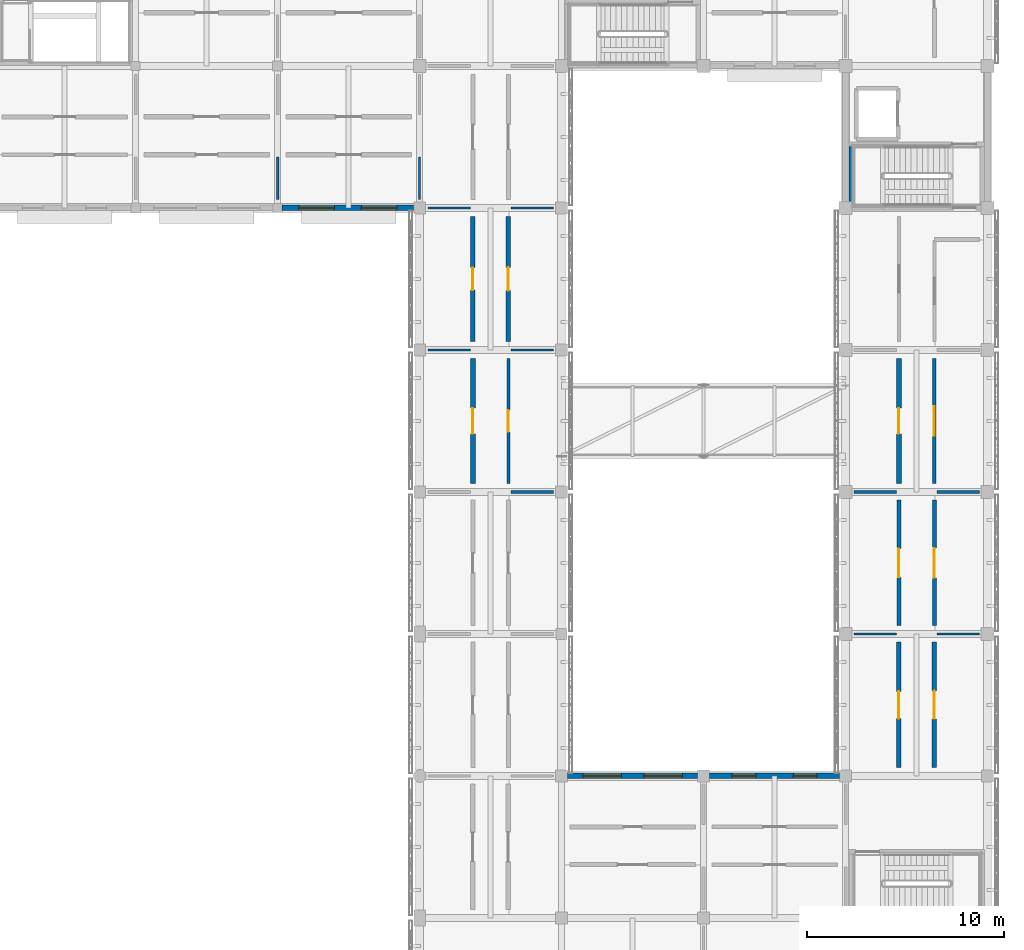
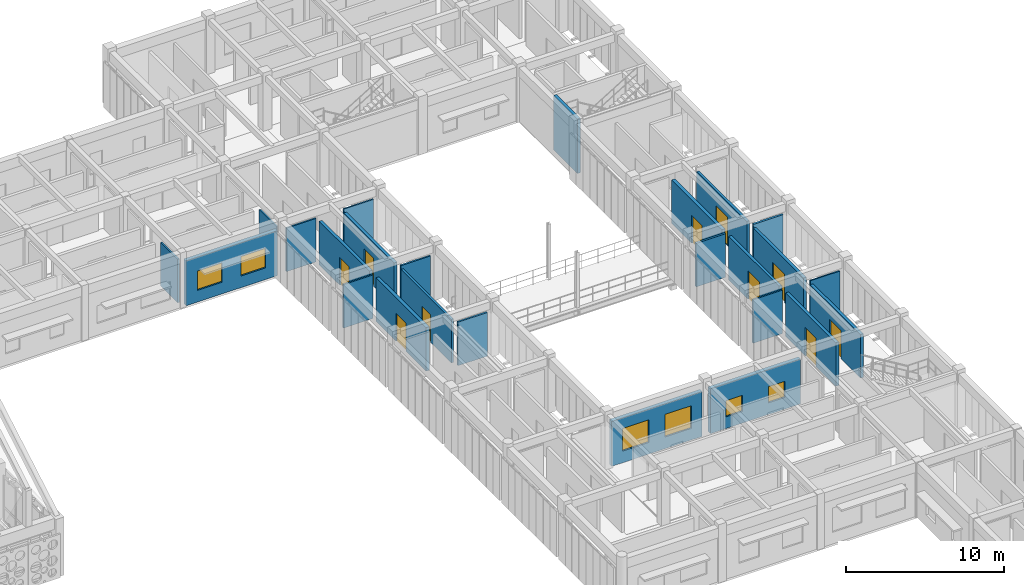
# One storey, part 138 of 171: 25 walls, 10 doors, 6 windows, 16 openings.
"""IFC4 building model written with IfcOpenShell, lengths in metres."""

import ifcopenshell
import ifcopenshell.guid

model = None  # the IFC model being written
_history = None  # IfcOwnerHistory: only IFC2X3 demands one
_inside = {}  # id of a spatial element -> (the spatial element, [elements in it])
_under = {}  # id of a project, library or spatial element -> (it, [spatial elements below it])
_declared = {}  # id of a project -> (the project, [libraries it declares])
_typed = {}  # id of a type object -> (the type object, [elements of that type])
_made_of = {}  # id of a material, layer set ... -> (it, [elements and type objects made of it])


def new_model(schema):
    """Start an empty IFC model of exactly this schema.

    Asked for "IFC4X3", IfcOpenShell would pick the latest addendum, in which some entities
    have other attributes; the version numbers below select the first issue.
    IFC2X3 requires an IfcOwnerHistory on every rooted entity: one is made here for all.
    """
    global model, _history
    if schema == "IFC4X3":
        model = ifcopenshell.file(schema_version=(4, 3, 0, 0))
    else:
        model = ifcopenshell.file(schema=schema)
    _inside.clear()
    _under.clear()
    _declared.clear()
    _typed.clear()
    _made_of.clear()
    _history = None
    if model.schema == "IFC2X3":
        org = make("IfcOrganization", Name="unknown")
        user = make(
            "IfcPersonAndOrganization",
            ThePerson=make("IfcPerson", FamilyName="unknown"),
            TheOrganization=org,
        )
        app = make(
            "IfcApplication",
            ApplicationDeveloper=org,
            Version="unknown",
            ApplicationFullName="unknown",
            ApplicationIdentifier="unknown",
        )
        _history = make(
            "IfcOwnerHistory",
            OwningUser=user,
            OwningApplication=app,
            ChangeAction="ADDED",
            CreationDate=0,
        )
    return model


def make(cls, **values):
    """One entity of the class cls with the attributes given. An attribute that is None is left unset."""
    return model.create_entity(
        cls, **{name: value for name, value in values.items() if value is not None}
    )


def rooted(cls, **values):
    """An entity with a GlobalId (a new one), such as an element, a storey or a relation."""
    return make(cls, GlobalId=ifcopenshell.guid.new(), OwnerHistory=_history, **values)


def si_unit(unit_type, name, prefix=None):
    """IfcSIUnit, for example si_unit("LENGTHUNIT", "METRE", prefix="MILLI")."""
    return make("IfcSIUnit", UnitType=unit_type, Prefix=prefix, Name=name)


def assignment(units):
    """IfcUnitAssignment: the units of a project."""
    return None if units is None else make("IfcUnitAssignment", Units=units)


def point(xyz):
    """IfcCartesianPoint."""
    return None if xyz is None else make("IfcCartesianPoint", Coordinates=xyz)


def direction(xyz):
    """IfcDirection."""
    return None if xyz is None else make("IfcDirection", DirectionRatios=xyz)


def frame(location, z_axis=None, x_axis=None):
    """IfcAxis2Placement3D, a coordinate frame: its origin and axes. An axis left out is left unset."""
    return make(
        "IfcAxis2Placement3D",
        Location=point(location),
        Axis=direction(z_axis),
        RefDirection=direction(x_axis),
    )


def frame_2d(location, x_axis=None):
    """IfcAxis2Placement2D, a coordinate frame in the plane: its origin and x axis."""
    return make(
        "IfcAxis2Placement2D", Location=point(location), RefDirection=direction(x_axis)
    )


def origin():
    """The frame at (0, 0, 0) with its axes left unset."""
    return frame((0.0, 0.0, 0.0))


def place(relative_to, where):
    """IfcLocalPlacement: puts the frame where relative to a parent placement (None: the world)."""
    return make(
        "IfcLocalPlacement", PlacementRelTo=relative_to, RelativePlacement=where
    )


def context(
    kind, dimensions, precision=None, world=None, true_north=None, identifier=None
):
    """IfcGeometricRepresentationContext, for example the 3D "Model" context."""
    return make(
        "IfcGeometricRepresentationContext",
        ContextIdentifier=identifier,
        ContextType=kind,
        CoordinateSpaceDimension=dimensions,
        Precision=precision,
        WorldCoordinateSystem=world,
        TrueNorth=true_north,
    )


def subcontext(parent, identifier, kind, view, scale=None):
    """IfcGeometricRepresentationSubContext, for example "Body" below "Model"."""
    return make(
        "IfcGeometricRepresentationSubContext",
        ContextIdentifier=identifier,
        ContextType=kind,
        ParentContext=parent,
        TargetScale=scale,
        TargetView=view,
    )


def project(units=None, contexts=None):
    """IfcProject with its units and contexts."""
    return rooted(
        "IfcProject",
        Name="project",
        RepresentationContexts=contexts,
        UnitsInContext=assignment(units),
    )


def spatial(cls, under=None, at=None, **own):
    """A site, building, storey or space (cls), placed at a placement, below another one or the project."""
    s = rooted(cls, ObjectPlacement=at, **own)
    if under is not None:
        _under.setdefault(under.id(), (under, []))[1].append(s)
    return s


def profile(cls, at=None, kind="AREA", **sizes):
    """A parametric profile (cls). Its sizes go by their IFC names, for example OverallWidth=200.0."""
    return make(cls, ProfileType=kind, Position=at, **sizes)


def rectangle(**sizes):
    """IfcRectangleProfileDef."""
    return profile("IfcRectangleProfileDef", **sizes)


def extrude(swept, where, along, depth):
    """IfcExtrudedAreaSolid: the profile swept, set in the frame where, extruded along a direction by depth."""
    return make(
        "IfcExtrudedAreaSolid",
        SweptArea=swept,
        Position=where,
        ExtrudedDirection=direction(along),
        Depth=depth,
    )


def shape(context_of_items, identifier, shape_type, items):
    """IfcShapeRepresentation: the items that make up one representation, for example the "Body"."""
    return make(
        "IfcShapeRepresentation",
        ContextOfItems=context_of_items,
        RepresentationIdentifier=identifier,
        RepresentationType=shape_type,
        Items=items,
    )


def material(Name=None, Category=None):
    """IfcMaterial."""
    return make("IfcMaterial", Name=Name, Category=Category)


def layer(
    of_material, thickness, ventilated=None, Name=None, Category=None, Priority=None
):
    """IfcMaterialLayer: one layer of a wall or slab, of a material (None: an air gap)."""
    return make(
        "IfcMaterialLayer",
        Material=of_material,
        LayerThickness=thickness,
        IsVentilated=ventilated,
        Name=Name,
        Category=Category,
        Priority=Priority,
    )


def layer_set(layers, Name=None):
    """IfcMaterialLayerSet."""
    return make("IfcMaterialLayerSet", MaterialLayers=layers, LayerSetName=Name)


def made_of(thing, what):
    """Note that an element or type object is made of a material, layer set ...; save() writes the relation."""
    if what is not None:
        _made_of.setdefault(what.id(), (what, []))[1].append(thing)
    return thing


def type_object(cls, material=None, **own):
    """A type object (cls), such as IfcWallType, which elements share."""
    return made_of(rooted(cls, **own), material)


def element(
    cls,
    number,
    at=None,
    inside=None,
    cuts=None,
    type_object=None,
    material=None,
    context=None,
    identifier="Body",
    shape_type=None,
    held_by="IfcProductDefinitionShape",
    body=None,
    shapes=None,
    **own,
):
    """One element of the class cls, such as IfcWall. Its Tag is "e" and its number.

    at: its placement. inside: the storey or other place that contains it. cuts: it is an
    opening in that element (IfcRelVoidsElement). A single representation is given by context,
    identifier, shape_type and body (its items); several are given by shapes. held_by: the class
    of the entity that holds the representations. save() writes the other relations.
    """
    e = rooted(cls, Tag="e%d" % number, ObjectPlacement=at, **own)
    if body is not None:
        shapes = [shape(context, identifier, shape_type, body)]
    if shapes is not None:
        e.Representation = make(held_by, Representations=shapes)
    if inside is not None:
        _inside.setdefault(inside.id(), (inside, []))[1].append(e)
    if cuts is not None:
        rooted(
            "IfcRelVoidsElement", RelatingBuildingElement=cuts, RelatedOpeningElement=e
        )
    if type_object is not None:
        _typed.setdefault(type_object.id(), (type_object, []))[1].append(e)
    return made_of(e, material)


def fill(opening, filler):
    """IfcRelFillsElement: the door or window that sits in an opening."""
    return rooted(
        "IfcRelFillsElement",
        RelatingOpeningElement=opening,
        RelatedBuildingElement=filler,
    )


def aggregate(whole, parts):
    """IfcRelAggregates: a whole, such as a stair, and the parts it consists of."""
    return rooted("IfcRelAggregates", RelatingObject=whole, RelatedObjects=parts)


def save(model, path):
    """Write the relations noted so far, then the file.

    IfcRelAggregates (storeys below a building ...), IfcRelContainedInSpatialStructure (elements
    in a storey), IfcRelDefinesByType, IfcRelAssociatesMaterial and IfcRelDeclares: one each for
    every whole, place, type object, material and project.
    """
    for whole, parts in _under.values():
        aggregate(whole, parts)
    for where, things in _inside.values():
        rooted(
            "IfcRelContainedInSpatialStructure",
            RelatedElements=things,
            RelatingStructure=where,
        )
    for kind, things in _typed.values():
        rooted("IfcRelDefinesByType", RelatedObjects=things, RelatingType=kind)
    for what, things in _made_of.values():
        rooted("IfcRelAssociatesMaterial", RelatedObjects=things, RelatingMaterial=what)
    for by, libraries in _declared.values():
        rooted("IfcRelDeclares", RelatingContext=by, RelatedDefinitions=libraries)
    model.write(path)


model = new_model("IFC4")

# Units and contexts
model_context = context("Model", 3, precision=1e-05, world=origin(), true_north=direction((0.0, 1.0)))
body_context = subcontext(model_context, "Body", "Model", "MODEL_VIEW")
ifc_project = project(units=[si_unit("LENGTHUNIT", "METRE"), si_unit("AREAUNIT", "SQUARE_METRE"), si_unit("VOLUMEUNIT", "CUBIC_METRE"), si_unit("PLANEANGLEUNIT", "RADIAN"), si_unit("MASSUNIT", "GRAM", prefix="KILO")], contexts=[model_context])

# Site, building, storey
site_placement = place(None, origin())
site = spatial("IfcSite", under=ifc_project, at=site_placement, CompositionType="ELEMENT")
building_placement = place(site_placement, origin())
building = spatial("IfcBuilding", under=site, at=building_placement, Name="Aldebral Square Health Centre", CompositionType="ELEMENT")
storey_placement = place(building_placement, frame((0.0, 0.0, 4.5)))
storey = spatial("IfcBuildingStorey", under=building, at=storey_placement, Name="L01", CompositionType="ELEMENT", Elevation=4.5)

# Wall, openings, windows
ifc_material_1 = material(Name="Ochre mineral-rendered concrete C35/45 court wall", Category="concrete")
ifc_layer_1 = layer(ifc_material_1, 0.280029296875, Name="Ochre mineral-rendered concrete C35/45 court wall", Category="concrete")
ifc_layer_set_1 = layer_set([ifc_layer_1], Name="Ochre mineral-rendered concrete C35/45 court wall")
wall_type_1 = type_object("IfcWallType", Name="EW-OCH-280", PredefinedType="STANDARD", material=ifc_layer_set_1)
wall_1_placement = place(storey_placement, frame((129.824951171875, 93.60009765625, 0.0), z_axis=(0.0, 0.0, 1.0), x_axis=(1.0, 0.0, 0.0)))
wall_1 = element("IfcWall", 1, at=wall_1_placement, inside=storey, type_object=wall_type_1, Name="L01 V5 exterior wall L01-V5-18-13-S", PredefinedType="STANDARD", context=body_context, shape_type="SweptSolid", body=[
    extrude(rectangle(XDim=6.675048828125, YDim=0.280029296875, at=frame_2d((3.33740234375, 0.0))), origin(), (0.0, 0.0, 1.0), 3.469970703125),
])
opening_1_placement = place(wall_1_placement, frame((0.85009765625, 0.0, 0.89990234375)))
opening_1 = element("IfcOpeningElement", 2, at=opening_1_placement, cuts=wall_1, Name="Opening W25", PredefinedType="OPENING", context=body_context, shape_type="SweptSolid", body=[
    extrude(rectangle(XDim=1.800048828125, YDim=1.5, at=frame_2d((0.89990234375, 0.75))), frame((0.0, 0.14990234375, 0.0), z_axis=(0.0, -1.0, 0.0), x_axis=(1.0, 0.0, 0.0)), (0.0, 0.0, 1.0), 0.300048828125),
])
opening_2_placement = place(wall_1_placement, frame((4.02490234375, 0.0, 0.89990234375)))
opening_2 = element("IfcOpeningElement", 3, at=opening_2_placement, cuts=wall_1, Name="Opening W25", PredefinedType="OPENING", context=body_context, shape_type="SweptSolid", body=[
    extrude(rectangle(XDim=1.800048828125, YDim=1.5, at=frame_2d((0.89990234375, 0.75))), frame((0.0, 0.14990234375, 0.0), z_axis=(0.0, -1.0, 0.0), x_axis=(1.0, 0.0, 0.0)), (0.0, 0.0, 1.0), 0.300048828125),
])
ifc_material_2 = material(Name="Thermally broken aluminium and low-E glass", Category="aluminium")
window_type_1 = type_object("IfcWindowType", Name="WIN-W25", PartitioningType="SINGLE_PANEL", PredefinedType="WINDOW", material=ifc_material_2)
window_1_placement = place(opening_1_placement, origin())
window_1 = element("IfcWindow", 4, at=window_1_placement, inside=storey, type_object=window_type_1, Name="L01 clinical window L01-V5-18-13-S.1", OverallHeight=1.5, OverallWidth=1.800048828125, PartitioningType="SINGLE_PANEL", PredefinedType="WINDOW", context=body_context, shape_type="SweptSolid", body=[
    extrude(rectangle(XDim=1.800048828125, YDim=1.5, at=frame_2d((0.89990234375, 0.75))), frame((0.0, 0.030029296875, 0.0), z_axis=(0.0, -1.0, 0.0), x_axis=(1.0, 0.0, 0.0)), (0.0, 0.0, 1.0), 0.06005859375),
])
fill(opening_1, window_1)
window_2_placement = place(opening_2_placement, origin())
window_2 = element("IfcWindow", 5, at=window_2_placement, inside=storey, type_object=window_type_1, Name="L01 clinical window L01-V5-18-13-S.2", OverallHeight=1.5, OverallWidth=1.800048828125, PartitioningType="SINGLE_PANEL", PredefinedType="WINDOW", context=body_context, shape_type="SweptSolid", body=[
    extrude(rectangle(XDim=1.800048828125, YDim=1.5, at=frame_2d((0.89990234375, 0.75))), frame((0.0, 0.030029296875, 0.0), z_axis=(0.0, -1.0, 0.0), x_axis=(1.0, 0.0, 0.0)), (0.0, 0.0, 1.0), 0.06005859375),
])
fill(opening_2, window_2)

wall_2_placement = place(storey_placement, frame((150.89990234375, 64.800048828125, 0.0), z_axis=(0.0, 0.0, 1.0), x_axis=(-1.0, 0.0, 0.0)))
wall_2 = element("IfcWall", 6, at=wall_2_placement, inside=storey, type_object=wall_type_1, Name="L01 V5 exterior wall L01-V5-20-08-N", PredefinedType="STANDARD", context=body_context, shape_type="SweptSolid", body=[
    extrude(rectangle(XDim=6.599853515625, YDim=0.280029296875, at=frame_2d((3.2998046875, 0.0))), origin(), (0.0, 0.0, 1.0), 3.469970703125),
])
opening_3_placement = place(wall_2_placement, frame((0.77490234375, 0.0, 0.89990234375)))
opening_3 = element("IfcOpeningElement", 7, at=opening_3_placement, cuts=wall_2, Name="Opening W44", PredefinedType="OPENING", context=body_context, shape_type="SweptSolid", body=[
    extrude(rectangle(XDim=1.949951171875, YDim=1.75, at=frame_2d((0.97509765625, 0.875))), frame((0.0, 0.14990234375, 0.0), z_axis=(0.0, -1.0, 0.0), x_axis=(1.0, 0.0, 0.0)), (0.0, 0.0, 1.0), 0.300048828125),
])
opening_4_placement = place(wall_2_placement, frame((3.875, 0.0, 0.89990234375)))
opening_4 = element("IfcOpeningElement", 8, at=opening_4_placement, cuts=wall_2, Name="Opening W44", PredefinedType="OPENING", context=body_context, shape_type="SweptSolid", body=[
    extrude(rectangle(XDim=1.949951171875, YDim=1.75, at=frame_2d((0.97509765625, 0.875))), frame((0.0, 0.14990234375, 0.0), z_axis=(0.0, -1.0, 0.0), x_axis=(1.0, 0.0, 0.0)), (0.0, 0.0, 1.0), 0.300048828125),
])
window_type_2 = type_object("IfcWindowType", Name="WIN-W44", PartitioningType="SINGLE_PANEL", PredefinedType="WINDOW", material=ifc_material_2)
window_3_placement = place(opening_3_placement, origin())
window_3 = element("IfcWindow", 9, at=window_3_placement, inside=storey, type_object=window_type_2, Name="L01 clinical window L01-V5-20-08-N.1", OverallHeight=1.75, OverallWidth=1.949951171875, PartitioningType="SINGLE_PANEL", PredefinedType="WINDOW", context=body_context, shape_type="SweptSolid", body=[
    extrude(rectangle(XDim=1.949951171875, YDim=1.75, at=frame_2d((0.97509765625, 0.875))), frame((0.0, 0.030029296875, 0.0), z_axis=(0.0, -1.0, 0.0), x_axis=(1.0, 0.0, 0.0)), (0.0, 0.0, 1.0), 0.06005859375),
])
fill(opening_3, window_3)
window_4_placement = place(opening_4_placement, origin())
window_4 = element("IfcWindow", 10, at=window_4_placement, inside=storey, type_object=window_type_2, Name="L01 clinical window L01-V5-20-08-N.2", OverallHeight=1.75, OverallWidth=1.949951171875, PartitioningType="SINGLE_PANEL", PredefinedType="WINDOW", context=body_context, shape_type="SweptSolid", body=[
    extrude(rectangle(XDim=1.949951171875, YDim=1.75, at=frame_2d((0.97509765625, 0.875))), frame((0.0, 0.030029296875, 0.0), z_axis=(0.0, -1.0, 0.0), x_axis=(1.0, 0.0, 0.0)), (0.0, 0.0, 1.0), 0.06005859375),
])
fill(opening_4, window_4)

wall_3_placement = place(storey_placement, frame((158.10009765625, 64.800048828125, 0.0), z_axis=(0.0, 0.0, 1.0), x_axis=(-1.0, 0.0, 0.0)))
wall_3 = element("IfcWall", 11, at=wall_3_placement, inside=storey, type_object=wall_type_1, Name="L01 V5 exterior wall L01-V5-21-08-N", PredefinedType="STANDARD", context=body_context, shape_type="SweptSolid", body=[
    extrude(rectangle(XDim=6.60009765625, YDim=0.280029296875, at=frame_2d((3.300048828125, 0.0))), origin(), (0.0, 0.0, 1.0), 3.469970703125),
])
opening_5_placement = place(wall_3_placement, frame((1.14990234375, 0.0, 0.89990234375)))
opening_5 = element("IfcOpeningElement", 12, at=opening_5_placement, cuts=wall_3, Name="Opening W03", PredefinedType="OPENING", context=body_context, shape_type="SweptSolid", body=[
    extrude(rectangle(XDim=1.199951171875, YDim=1.25, at=frame_2d((0.60009765625, 0.625))), frame((0.0, 0.14990234375, 0.0), z_axis=(0.0, -1.0, 0.0), x_axis=(1.0, 0.0, 0.0)), (0.0, 0.0, 1.0), 0.300048828125),
])
opening_6_placement = place(wall_3_placement, frame((4.25, 0.0, 0.89990234375)))
opening_6 = element("IfcOpeningElement", 13, at=opening_6_placement, cuts=wall_3, Name="Opening W03", PredefinedType="OPENING", context=body_context, shape_type="SweptSolid", body=[
    extrude(rectangle(XDim=1.199951171875, YDim=1.25, at=frame_2d((0.60009765625, 0.625))), frame((0.0, 0.14990234375, 0.0), z_axis=(0.0, -1.0, 0.0), x_axis=(1.0, 0.0, 0.0)), (0.0, 0.0, 1.0), 0.300048828125),
])
window_type_3 = type_object("IfcWindowType", Name="WIN-W03", PartitioningType="SINGLE_PANEL", PredefinedType="WINDOW", material=ifc_material_2)
window_5_placement = place(opening_5_placement, origin())
window_5 = element("IfcWindow", 14, at=window_5_placement, inside=storey, type_object=window_type_3, Name="L01 clinical window L01-V5-21-08-N.1", OverallHeight=1.25, OverallWidth=1.199951171875, PartitioningType="SINGLE_PANEL", PredefinedType="WINDOW", context=body_context, shape_type="SweptSolid", body=[
    extrude(rectangle(XDim=1.199951171875, YDim=1.25, at=frame_2d((0.60009765625, 0.625))), frame((0.0, 0.030029296875, 0.0), z_axis=(0.0, -1.0, 0.0), x_axis=(1.0, 0.0, 0.0)), (0.0, 0.0, 1.0), 0.06005859375),
])
fill(opening_5, window_5)
window_6_placement = place(opening_6_placement, origin())
window_6 = element("IfcWindow", 15, at=window_6_placement, inside=storey, type_object=window_type_3, Name="L01 clinical window L01-V5-21-08-N.2", OverallHeight=1.25, OverallWidth=1.199951171875, PartitioningType="SINGLE_PANEL", PredefinedType="WINDOW", context=body_context, shape_type="SweptSolid", body=[
    extrude(rectangle(XDim=1.199951171875, YDim=1.25, at=frame_2d((0.60009765625, 0.625))), frame((0.0, 0.030029296875, 0.0), z_axis=(0.0, -1.0, 0.0), x_axis=(1.0, 0.0, 0.0)), (0.0, 0.0, 1.0), 0.06005859375),
])
fill(opening_6, window_6)

# Wall, opening, door
ifc_material_3 = material(Name="Concrete C35/45 compartment wall", Category="concrete")
ifc_layer_2 = layer(ifc_material_3, 0.219970703125, Name="Concrete C35/45 compartment wall", Category="concrete")
ifc_layer_set_2 = layer_set([ifc_layer_2], Name="Concrete C35/45 compartment wall")
wall_type_2 = type_object("IfcWallType", Name="IW-CMP-220", PredefinedType="SOLIDWALL", material=ifc_layer_set_2)
wall_4_placement = place(storey_placement, frame((139.5, 86.820068359375, 0.0), z_axis=(0.0, 0.0, 1.0), x_axis=(0.0, 1.0, 0.0)))
wall_4 = element("IfcWall", 16, at=wall_4_placement, inside=storey, type_object=wall_type_2, Name="L01 Audiology Testing Booth 20.13W corridor wall", PredefinedType="SOLIDWALL", context=body_context, shape_type="SweptSolid", body=[
    extrude(rectangle(XDim=6.35986328125, YDim=0.219970703125, at=frame_2d((3.179931640625, 0.0))), origin(), (0.0, 0.0, 1.0), 3.360107421875),
])
opening_7_placement = place(wall_4_placement, frame((2.610107421875, 0.0, 0.0)))
opening_7 = element("IfcOpeningElement", 17, at=opening_7_placement, cuts=wall_4, Name="Opening D-0329", PredefinedType="OPENING", context=body_context, shape_type="SweptSolid", body=[
    extrude(rectangle(XDim=1.139892578125, YDim=2.139892578125, at=frame_2d((0.56982421875, 1.06982421875))), frame((0.0, 0.1201171875, 0.0), z_axis=(0.0, -1.0, 0.0), x_axis=(1.0, 0.0, 0.0)), (0.0, 0.0, 1.0), 0.239990234375),
])
ifc_material_4 = material(Name="Clinical suite fire door")
door_type_1 = type_object("IfcDoorType", Name="ID-EXD-38", OperationType="NOTDEFINED", PredefinedType="DOOR", material=ifc_material_4)
door_1_placement = place(opening_7_placement, origin())
door_1 = element("IfcDoor", 18, at=door_1_placement, inside=storey, type_object=door_type_1, Name="L01 Audiology Testing Booth 20.13W door", OperationType="SINGLE_SWING_RIGHT", OverallHeight=2.139892578125, OverallWidth=1.139892578125, PredefinedType="DOOR", context=body_context, shape_type="SweptSolid", body=[
    extrude(rectangle(XDim=1.139892578125, YDim=2.139892578125, at=frame_2d((0.56982421875, 1.06982421875))), frame((0.0, 0.02490234375, 0.0), z_axis=(0.0, -1.0, 0.0), x_axis=(1.0, 0.0, 0.0)), (0.0, 0.0, 1.0), 0.050048828125),
])
fill(opening_7, door_1)

wall_5_placement = place(storey_placement, frame((141.300048828125, 86.820068359375, 0.0), z_axis=(0.0, 0.0, 1.0), x_axis=(0.0, 1.0, 0.0)))
wall_5 = element("IfcWall", 19, at=wall_5_placement, inside=storey, type_object=wall_type_2, Name="L01 Maternal-Child Clinic 20.13E corridor wall", PredefinedType="SOLIDWALL", context=body_context, shape_type="SweptSolid", body=[
    extrude(rectangle(XDim=6.35986328125, YDim=0.219970703125, at=frame_2d((3.179931640625, 0.0))), origin(), (0.0, 0.0, 1.0), 3.360107421875),
])
opening_8_placement = place(wall_5_placement, frame((2.590087890625, 0.0, 0.0)))
opening_8 = element("IfcOpeningElement", 20, at=opening_8_placement, cuts=wall_5, Name="Opening D-0330", PredefinedType="OPENING", context=body_context, shape_type="SweptSolid", body=[
    extrude(rectangle(XDim=1.179931640625, YDim=2.139892578125, at=frame_2d((0.58984375, 1.06982421875))), frame((0.0, 0.1201171875, 0.0), z_axis=(0.0, -1.0, 0.0), x_axis=(1.0, 0.0, 0.0)), (0.0, 0.0, 1.0), 0.239990234375),
])
door_type_2 = type_object("IfcDoorType", Name="ID-EXD-39", OperationType="NOTDEFINED", PredefinedType="DOOR", material=ifc_material_4)
door_2_placement = place(opening_8_placement, origin())
door_2 = element("IfcDoor", 21, at=door_2_placement, inside=storey, type_object=door_type_2, Name="L01 Maternal-Child Clinic 20.13E door", OperationType="SINGLE_SWING_LEFT", OverallHeight=2.139892578125, OverallWidth=1.179931640625, PredefinedType="DOOR", context=body_context, shape_type="SweptSolid", body=[
    extrude(rectangle(XDim=1.179931640625, YDim=2.139892578125, at=frame_2d((0.58984375, 1.06982421875))), frame((0.0, 0.02490234375, 0.0), z_axis=(0.0, -1.0, 0.0), x_axis=(1.0, 0.0, 0.0)), (0.0, 0.0, 1.0), 0.050048828125),
])
fill(opening_8, door_2)

wall_6_placement = place(storey_placement, frame((161.10009765625, 65.219970703125, 0.0), z_axis=(0.0, 0.0, 1.0), x_axis=(0.0, 1.0, 0.0)))
wall_6 = element("IfcWall", 22, at=wall_6_placement, inside=storey, type_object=wall_type_2, Name="L01 Maternal-Child Clinic 23.10W corridor wall", PredefinedType="SOLIDWALL", context=body_context, shape_type="SweptSolid", body=[
    extrude(rectangle(XDim=6.360107421875, YDim=0.219970703125, at=frame_2d((3.18017578125, 0.0))), origin(), (0.0, 0.0, 1.0), 3.360107421875),
])
opening_9_placement = place(wall_6_placement, frame((2.489990234375, 0.0, 0.0)))
opening_9 = element("IfcOpeningElement", 23, at=opening_9_placement, cuts=wall_6, Name="Opening D-0351", PredefinedType="OPENING", context=body_context, shape_type="SweptSolid", body=[
    extrude(rectangle(XDim=1.3798828125, YDim=2.18994140625, at=frame_2d((0.68994140625, 1.094970703125))), frame((0.0, 0.1201171875, 0.0), z_axis=(0.0, -1.0, 0.0), x_axis=(1.0, 0.0, 0.0)), (0.0, 0.0, 1.0), 0.239990234375),
])
door_type_3 = type_object("IfcDoorType", Name="ID-EXD-60", OperationType="NOTDEFINED", PredefinedType="DOOR", material=ifc_material_4)
door_3_placement = place(opening_9_placement, origin())
door_3 = element("IfcDoor", 24, at=door_3_placement, inside=storey, type_object=door_type_3, Name="L01 Maternal-Child Clinic 23.10W door", OperationType="SINGLE_SWING_RIGHT", OverallHeight=2.18994140625, OverallWidth=1.3798828125, PredefinedType="DOOR", context=body_context, shape_type="SweptSolid", body=[
    extrude(rectangle(XDim=1.3798828125, YDim=2.18994140625, at=frame_2d((0.68994140625, 1.094970703125))), frame((0.0, 0.02490234375, 0.0), z_axis=(0.0, -1.0, 0.0), x_axis=(1.0, 0.0, 0.0)), (0.0, 0.0, 1.0), 0.050048828125),
])
fill(opening_9, door_3)

wall_7_placement = place(storey_placement, frame((162.89990234375, 65.219970703125, 0.0), z_axis=(0.0, 0.0, 1.0), x_axis=(0.0, 1.0, 0.0)))
wall_7 = element("IfcWall", 25, at=wall_7_placement, inside=storey, type_object=wall_type_2, Name="L01 Clean Supply Store 23.10E corridor wall", PredefinedType="SOLIDWALL", context=body_context, shape_type="SweptSolid", body=[
    extrude(rectangle(XDim=6.360107421875, YDim=0.219970703125, at=frame_2d((3.18017578125, 0.0))), origin(), (0.0, 0.0, 1.0), 3.360107421875),
])
opening_10_placement = place(wall_7_placement, frame((2.469970703125, 0.0, 0.0)))
opening_10 = element("IfcOpeningElement", 26, at=opening_10_placement, cuts=wall_7, Name="Opening D-0352", PredefinedType="OPENING", context=body_context, shape_type="SweptSolid", body=[
    extrude(rectangle(XDim=1.419921875, YDim=2.18994140625, at=frame_2d((0.7099609375, 1.094970703125))), frame((0.0, 0.1201171875, 0.0), z_axis=(0.0, -1.0, 0.0), x_axis=(1.0, 0.0, 0.0)), (0.0, 0.0, 1.0), 0.239990234375),
])
door_type_4 = type_object("IfcDoorType", Name="ID-EXD-61", OperationType="NOTDEFINED", PredefinedType="DOOR", material=ifc_material_4)
door_4_placement = place(opening_10_placement, origin())
door_4 = element("IfcDoor", 27, at=door_4_placement, inside=storey, type_object=door_type_4, Name="L01 Clean Supply Store 23.10E door", OperationType="SINGLE_SWING_LEFT", OverallHeight=2.18994140625, OverallWidth=1.419921875, PredefinedType="DOOR", context=body_context, shape_type="SweptSolid", body=[
    extrude(rectangle(XDim=1.419921875, YDim=2.18994140625, at=frame_2d((0.7099609375, 1.094970703125))), frame((0.0, 0.02490234375, 0.0), z_axis=(0.0, -1.0, 0.0), x_axis=(1.0, 0.0, 0.0)), (0.0, 0.0, 1.0), 0.050048828125),
])
fill(opening_10, door_4)

ifc_material_5 = material(Name="Fire-rated acoustic gypsum partition")
ifc_layer_3 = layer(ifc_material_5, 0.1650390625, Name="Fire-rated acoustic gypsum partition")
ifc_layer_set_3 = layer_set([ifc_layer_3], Name="Fire-rated acoustic gypsum partition")
wall_type_3 = type_object("IfcWallType", Name="IW-COR-165", PredefinedType="PARTITIONING", material=ifc_layer_set_3)
wall_8_placement = place(storey_placement, frame((141.300048828125, 79.6201171875, 0.0), z_axis=(0.0, 0.0, 1.0), x_axis=(0.0, 1.0, 0.0)))
wall_8 = element("IfcWall", 28, at=wall_8_placement, inside=storey, type_object=wall_type_3, Name="L01 Pulmonary Function Clinic 20.12E corridor wall", PredefinedType="PARTITIONING", context=body_context, shape_type="SweptSolid", body=[
    extrude(rectangle(XDim=6.35986328125, YDim=0.1650390625, at=frame_2d((3.179931640625, 0.0))), origin(), (0.0, 0.0, 1.0), 3.360107421875),
])
opening_11_placement = place(wall_8_placement, frame((2.6298828125, 0.0, 0.0)))
opening_11 = element("IfcOpeningElement", 29, at=opening_11_placement, cuts=wall_8, Name="Opening D-0328", PredefinedType="OPENING", context=body_context, shape_type="SweptSolid", body=[
    extrude(rectangle(XDim=1.10009765625, YDim=2.139892578125, at=frame_2d((0.550048828125, 1.06982421875))), frame((0.0, 0.092529296875, 0.0), z_axis=(0.0, -1.0, 0.0), x_axis=(1.0, 0.0, 0.0)), (0.0, 0.0, 1.0), 0.18505859375),
])
door_type_5 = type_object("IfcDoorType", Name="ID-EXD-37", OperationType="NOTDEFINED", PredefinedType="DOOR", material=ifc_material_4)
door_5_placement = place(opening_11_placement, origin())
door_5 = element("IfcDoor", 30, at=door_5_placement, inside=storey, type_object=door_type_5, Name="L01 Pulmonary Function Clinic 20.12E door", OperationType="SINGLE_SWING_LEFT", OverallHeight=2.139892578125, OverallWidth=1.10009765625, PredefinedType="DOOR", context=body_context, shape_type="SweptSolid", body=[
    extrude(rectangle(XDim=1.10009765625, YDim=2.139892578125, at=frame_2d((0.550048828125, 1.06982421875))), frame((0.0, 0.02490234375, 0.0), z_axis=(0.0, -1.0, 0.0), x_axis=(1.0, 0.0, 0.0)), (0.0, 0.0, 1.0), 0.050048828125),
])
fill(opening_11, door_5)

ifc_layer_4 = layer(ifc_material_5, 0.179931640625, Name="Fire-rated acoustic gypsum partition")
ifc_layer_set_4 = layer_set([ifc_layer_4], Name="Fire-rated acoustic gypsum partition")
wall_type_4 = type_object("IfcWallType", Name="IW-COR-180", PredefinedType="PARTITIONING", material=ifc_layer_set_4)
wall_9_placement = place(storey_placement, frame((162.89990234375, 79.6201171875, 0.0), z_axis=(0.0, 0.0, 1.0), x_axis=(0.0, 1.0, 0.0)))
wall_9 = element("IfcWall", 31, at=wall_9_placement, inside=storey, type_object=wall_type_4, Name="L01 Pulmonary Function Clinic 23.12E corridor wall", PredefinedType="PARTITIONING", context=body_context, shape_type="SweptSolid", body=[
    extrude(rectangle(XDim=6.35986328125, YDim=0.179931640625, at=frame_2d((3.179931640625, 0.0))), origin(), (0.0, 0.0, 1.0), 3.360107421875),
])
opening_12_placement = place(wall_9_placement, frame((2.429931640625, 0.0, 0.0)))
opening_12 = element("IfcOpeningElement", 32, at=opening_12_placement, cuts=wall_9, Name="Opening D-0356", PredefinedType="OPENING", context=body_context, shape_type="SweptSolid", body=[
    extrude(rectangle(XDim=1.5, YDim=2.199951171875, at=frame_2d((0.75, 1.10009765625))), frame((0.0, 0.10009765625, 0.0), z_axis=(0.0, -1.0, 0.0), x_axis=(1.0, 0.0, 0.0)), (0.0, 0.0, 1.0), 0.199951171875),
])
ifc_material_6 = material(Name="Surgical suite double-leaf fire door")
door_type_6 = type_object("IfcDoorType", Name="ID-OR-150", OperationType="NOTDEFINED", PredefinedType="DOOR", material=ifc_material_6)
door_6_placement = place(opening_12_placement, origin())
door_6 = element("IfcDoor", 33, at=door_6_placement, inside=storey, type_object=door_type_6, Name="L01 Pulmonary Function Clinic 23.12E door", OperationType="SINGLE_SWING_LEFT", OverallHeight=2.199951171875, OverallWidth=1.5, PredefinedType="DOOR", context=body_context, shape_type="SweptSolid", body=[
    extrude(rectangle(XDim=1.5, YDim=2.199951171875, at=frame_2d((0.75, 1.10009765625))), frame((0.0, 0.02490234375, 0.0), z_axis=(0.0, -1.0, 0.0), x_axis=(1.0, 0.0, 0.0)), (0.0, 0.0, 1.0), 0.050048828125),
])
fill(opening_12, door_6)

# Wall
ifc_material_7 = material(Name="Concrete C40/50", Category="concrete")
ifc_layer_5 = layer(ifc_material_7, 0.219970703125, Name="Concrete C40/50", Category="concrete")
ifc_layer_set_5 = layer_set([ifc_layer_5], Name="Concrete C40/50")
wall_type_5 = type_object("IfcWallType", Name="IW-CORE-280", PredefinedType="SHEAR", material=ifc_layer_set_5)
wall_10_placement = place(storey_placement, frame((158.669921875, 93.719970703125, 0.0), z_axis=(0.0, 0.0, 1.0), x_axis=(0.0, 1.0, 0.0)))
element("IfcWall", 34, at=wall_10_placement, inside=storey, type_object=wall_type_5, Name="L01 WC-C3 shaft wall W", PredefinedType="SHEAR", context=body_context, shape_type="SweptSolid", body=[
    extrude(rectangle(XDim=3.0, YDim=0.219970703125, at=frame_2d((1.5, 0.0))), origin(), (0.0, 0.0, 1.0), 4.219970703125),
])

# Wall, opening, door
ifc_material_8 = material(Name="Moisture-resistant sanitary chase wall")
ifc_layer_6 = layer(ifc_material_8, 0.2099609375, Name="Moisture-resistant sanitary chase wall")
ifc_layer_set_6 = layer_set([ifc_layer_6], Name="Moisture-resistant sanitary chase wall")
wall_type_6 = type_object("IfcWallType", Name="IW-PLB-210", PredefinedType="PLUMBINGWALL", material=ifc_layer_set_6)
wall_11_placement = place(storey_placement, frame((161.10009765625, 72.419921875, 0.0), z_axis=(0.0, 0.0, 1.0), x_axis=(0.0, 1.0, 0.0)))
wall_11 = element("IfcWall", 35, at=wall_11_placement, inside=storey, type_object=wall_type_6, Name="L01 Accessible WC 23.11W corridor wall", PredefinedType="PLUMBINGWALL", context=body_context, shape_type="SweptSolid", body=[
    extrude(rectangle(XDim=6.360107421875, YDim=0.2099609375, at=frame_2d((3.18017578125, 0.0))), origin(), (0.0, 0.0, 1.0), 3.360107421875),
])
opening_13_placement = place(wall_11_placement, frame((2.449951171875, 0.0, 0.0)))
opening_13 = element("IfcOpeningElement", 36, at=opening_13_placement, cuts=wall_11, Name="Opening D-0353", PredefinedType="OPENING", context=body_context, shape_type="SweptSolid", body=[
    extrude(rectangle(XDim=1.4599609375, YDim=2.18994140625, at=frame_2d((0.72998046875, 1.094970703125))), frame((0.0, 0.114990234375, 0.0), z_axis=(0.0, -1.0, 0.0), x_axis=(1.0, 0.0, 0.0)), (0.0, 0.0, 1.0), 0.22998046875),
])
door_type_7 = type_object("IfcDoorType", Name="ID-EXD-62", OperationType="NOTDEFINED", PredefinedType="DOOR", material=ifc_material_4)
door_7_placement = place(opening_13_placement, origin())
door_7 = element("IfcDoor", 37, at=door_7_placement, inside=storey, type_object=door_type_7, Name="L01 Accessible WC 23.11W door", OperationType="SINGLE_SWING_RIGHT", OverallHeight=2.18994140625, OverallWidth=1.4599609375, PredefinedType="DOOR", context=body_context, shape_type="SweptSolid", body=[
    extrude(rectangle(XDim=1.4599609375, YDim=2.18994140625, at=frame_2d((0.72998046875, 1.094970703125))), frame((0.0, 0.02490234375, 0.0), z_axis=(0.0, -1.0, 0.0), x_axis=(1.0, 0.0, 0.0)), (0.0, 0.0, 1.0), 0.050048828125),
])
fill(opening_13, door_7)

wall_12_placement = place(storey_placement, frame((162.89990234375, 72.419921875, 0.0), z_axis=(0.0, 0.0, 1.0), x_axis=(0.0, 1.0, 0.0)))
wall_12 = element("IfcWall", 38, at=wall_12_placement, inside=storey, type_object=wall_type_6, Name="L01 Patient Toilet 23.11E corridor wall", PredefinedType="PLUMBINGWALL", context=body_context, shape_type="SweptSolid", body=[
    extrude(rectangle(XDim=6.360107421875, YDim=0.2099609375, at=frame_2d((3.18017578125, 0.0))), origin(), (0.0, 0.0, 1.0), 3.360107421875),
])
opening_14_placement = place(wall_12_placement, frame((2.429931640625, 0.0, 0.0)))
opening_14 = element("IfcOpeningElement", 39, at=opening_14_placement, cuts=wall_12, Name="Opening D-0354", PredefinedType="OPENING", context=body_context, shape_type="SweptSolid", body=[
    extrude(rectangle(XDim=1.5, YDim=2.18994140625, at=frame_2d((0.75, 1.094970703125))), frame((0.0, 0.114990234375, 0.0), z_axis=(0.0, -1.0, 0.0), x_axis=(1.0, 0.0, 0.0)), (0.0, 0.0, 1.0), 0.22998046875),
])
door_type_8 = type_object("IfcDoorType", Name="ID-EXD-63", OperationType="NOTDEFINED", PredefinedType="DOOR", material=ifc_material_4)
door_8_placement = place(opening_14_placement, origin())
door_8 = element("IfcDoor", 40, at=door_8_placement, inside=storey, type_object=door_type_8, Name="L01 Patient Toilet 23.11E door", OperationType="SINGLE_SWING_LEFT", OverallHeight=2.18994140625, OverallWidth=1.5, PredefinedType="DOOR", context=body_context, shape_type="SweptSolid", body=[
    extrude(rectangle(XDim=1.5, YDim=2.18994140625, at=frame_2d((0.75, 1.094970703125))), frame((0.0, 0.02490234375, 0.0), z_axis=(0.0, -1.0, 0.0), x_axis=(1.0, 0.0, 0.0)), (0.0, 0.0, 1.0), 0.050048828125),
])
fill(opening_14, door_8)

# Walls
ifc_material_9 = material(Name="Lightweight clinical partition")
ifc_layer_7 = layer(ifc_material_9, 0.10498046875, Name="Lightweight clinical partition")
ifc_layer_set_7 = layer_set([ifc_layer_7], Name="Lightweight clinical partition")
wall_type_7 = type_object("IfcWallType", Name="IW-PRT-105", PredefinedType="PARTITIONING", material=ifc_layer_set_7)
for number, where, z_axis, x_axis, name in (
    (41, (136.800048828125, 94.02001953125, 0.0), (0.0, 0.0, 1.0), (0.0, 1.0, 0.0), "L01 Maternal-Child Clinic 19.14S demising partition"),
    (42, (137.219970703125, 93.60009765625, 0.0), (0.0, 0.0, 1.0), (1.0, 0.0, 0.0), "L01 Audiology Testing Booth 20.13W demising partition"),
):
    element("IfcWall", number, at=place(storey_placement, frame(where, z_axis=z_axis, x_axis=x_axis)), inside=storey, type_object=wall_type_7, Name=name, PredefinedType="PARTITIONING", context=body_context, shape_type="SweptSolid", body=[
        extrude(rectangle(XDim=2.159912109375, YDim=0.10498046875, at=frame_2d((1.080078125, 0.0))), origin(), (0.0, 0.0, 1.0), 3.360107421875),
    ])
wall_13_placement = place(storey_placement, frame((141.419921875, 93.60009765625, 0.0), z_axis=(0.0, 0.0, 1.0), x_axis=(1.0, 0.0, 0.0)))
element("IfcWall", 43, at=wall_13_placement, inside=storey, type_object=wall_type_7, Name="L01 Maternal-Child Clinic 20.13E demising partition", PredefinedType="PARTITIONING", context=body_context, shape_type="SweptSolid", body=[
    extrude(rectangle(XDim=2.16015625, YDim=0.10498046875, at=frame_2d((1.080078125, 0.0))), origin(), (0.0, 0.0, 1.0), 3.360107421875),
])
for number, where, z_axis, x_axis, name in (
    (44, (158.820068359375, 72.0, 0.0), (0.0, 0.0, 1.0), (1.0, 0.0, 0.0), "L01 Maternal-Child Clinic 23.10W demising partition"),
    (45, (163.02001953125, 72.0, 0.0), (0.0, 0.0, 1.0), (1.0, 0.0, 0.0), "L01 Clean Supply Store 23.10E demising partition"),
):
    element("IfcWall", number, at=place(storey_placement, frame(where, z_axis=z_axis, x_axis=x_axis)), inside=storey, type_object=wall_type_7, Name=name, PredefinedType="PARTITIONING", context=body_context, shape_type="SweptSolid", body=[
        extrude(rectangle(XDim=2.159912109375, YDim=0.10498046875, at=frame_2d((1.080078125, 0.0))), origin(), (0.0, 0.0, 1.0), 3.360107421875),
    ])
ifc_material_10 = material(Name="Acoustic clinical gypsum partition")
ifc_layer_8 = layer(ifc_material_10, 0.1201171875, Name="Acoustic clinical gypsum partition")
ifc_layer_set_8 = layer_set([ifc_layer_8], Name="Acoustic clinical gypsum partition")
wall_type_8 = type_object("IfcWallType", Name="IW-PRT-120", PredefinedType="PARTITIONING", material=ifc_layer_set_8)
for number, where, z_axis, x_axis, name in (
    (46, (129.60009765625, 94.02001953125, 0.0), (0.0, 0.0, 1.0), (0.0, 1.0, 0.0), "L01 Patient Toilet 18.14S demising partition"),
    (47, (137.219970703125, 86.39990234375, 0.0), (0.0, 0.0, 1.0), (1.0, 0.0, 0.0), "L01 Endoscopy Diagnostic Suite 20.12W demising partition"),
):
    element("IfcWall", number, at=place(storey_placement, frame(where, z_axis=z_axis, x_axis=x_axis)), inside=storey, type_object=wall_type_8, Name=name, PredefinedType="PARTITIONING", context=body_context, shape_type="SweptSolid", body=[
        extrude(rectangle(XDim=2.159912109375, YDim=0.1201171875, at=frame_2d((1.080078125, 0.0))), origin(), (0.0, 0.0, 1.0), 3.360107421875),
    ])
wall_14_placement = place(storey_placement, frame((141.419921875, 86.39990234375, 0.0), z_axis=(0.0, 0.0, 1.0), x_axis=(1.0, 0.0, 0.0)))
element("IfcWall", 48, at=wall_14_placement, inside=storey, type_object=wall_type_8, Name="L01 Pulmonary Function Clinic 20.12E demising partition", PredefinedType="PARTITIONING", context=body_context, shape_type="SweptSolid", body=[
    extrude(rectangle(XDim=2.16015625, YDim=0.1201171875, at=frame_2d((1.080078125, 0.0))), origin(), (0.0, 0.0, 1.0), 3.360107421875),
])
ifc_layer_9 = layer(ifc_material_10, 0.135009765625, Name="Acoustic clinical gypsum partition")
ifc_layer_set_9 = layer_set([ifc_layer_9], Name="Acoustic clinical gypsum partition")
wall_type_9 = type_object("IfcWallType", Name="IW-PRT-135", PredefinedType="PARTITIONING", material=ifc_layer_set_9)
wall_15_placement = place(storey_placement, frame((141.419921875, 79.199951171875, 0.0), z_axis=(0.0, 0.0, 1.0), x_axis=(1.0, 0.0, 0.0)))
element("IfcWall", 49, at=wall_15_placement, inside=storey, type_object=wall_type_9, Name="L01 Patient Toilet 20.11E demising partition", PredefinedType="PARTITIONING", context=body_context, shape_type="SweptSolid", body=[
    extrude(rectangle(XDim=2.16015625, YDim=0.135009765625, at=frame_2d((1.080078125, 0.0))), origin(), (0.0, 0.0, 1.0), 3.360107421875),
])
ifc_layer_10 = layer(ifc_material_10, 0.14990234375, Name="Acoustic clinical gypsum partition")
ifc_layer_set_10 = layer_set([ifc_layer_10], Name="Acoustic clinical gypsum partition")
wall_type_10 = type_object("IfcWallType", Name="IW-PRT-150", PredefinedType="PARTITIONING", material=ifc_layer_set_10)
for number, where, z_axis, x_axis, name in (
    (50, (158.820068359375, 79.199951171875, 0.0), (0.0, 0.0, 1.0), (1.0, 0.0, 0.0), "L01 Accessible WC 23.11W demising partition"),
    (51, (163.02001953125, 79.199951171875, 0.0), (0.0, 0.0, 1.0), (1.0, 0.0, 0.0), "L01 Patient Toilet 23.11E demising partition"),
):
    element("IfcWall", number, at=place(storey_placement, frame(where, z_axis=z_axis, x_axis=x_axis)), inside=storey, type_object=wall_type_10, Name=name, PredefinedType="PARTITIONING", context=body_context, shape_type="SweptSolid", body=[
        extrude(rectangle(XDim=2.159912109375, YDim=0.14990234375, at=frame_2d((1.080078125, 0.0))), origin(), (0.0, 0.0, 1.0), 3.360107421875),
    ])

# Wall, opening, door
ifc_material_11 = material(Name="Lead-lined gypsum and concrete C35/45 barrier", Category="concrete")
ifc_layer_11 = layer(ifc_material_11, 0.239990234375, Name="Lead-lined gypsum and concrete C35/45 barrier", Category="concrete")
ifc_layer_set_11 = layer_set([ifc_layer_11], Name="Lead-lined gypsum and concrete C35/45 barrier")
wall_type_11 = type_object("IfcWallType", Name="IW-RAD-240", PredefinedType="SOLIDWALL", material=ifc_layer_set_11)
wall_16_placement = place(storey_placement, frame((139.5, 79.6201171875, 0.0), z_axis=(0.0, 0.0, 1.0), x_axis=(0.0, 1.0, 0.0)))
wall_16 = element("IfcWall", 52, at=wall_16_placement, inside=storey, type_object=wall_type_11, Name="L01 Endoscopy Diagnostic Suite 20.12W corridor wall", PredefinedType="SOLIDWALL", context=body_context, shape_type="SweptSolid", body=[
    extrude(rectangle(XDim=6.35986328125, YDim=0.239990234375, at=frame_2d((3.179931640625, 0.0))), origin(), (0.0, 0.0, 1.0), 3.360107421875),
])
opening_15_placement = place(wall_16_placement, frame((2.530029296875, 0.0, 0.0)))
opening_15 = element("IfcOpeningElement", 53, at=opening_15_placement, cuts=wall_16, Name="Opening D-0327", PredefinedType="OPENING", context=body_context, shape_type="SweptSolid", body=[
    extrude(rectangle(XDim=1.300048828125, YDim=2.14990234375, at=frame_2d((0.64990234375, 1.074951171875))), frame((0.0, 0.1298828125, 0.0), z_axis=(0.0, -1.0, 0.0), x_axis=(1.0, 0.0, 0.0)), (0.0, 0.0, 1.0), 0.260009765625),
])
ifc_material_12 = material(Name="Radiography shielded fire door")
door_type_9 = type_object("IfcDoorType", Name="ID-IM-130", OperationType="NOTDEFINED", PredefinedType="DOOR", material=ifc_material_12)
door_9_placement = place(opening_15_placement, origin())
door_9 = element("IfcDoor", 54, at=door_9_placement, inside=storey, type_object=door_type_9, Name="L01 Endoscopy Diagnostic Suite 20.12W door", OperationType="SINGLE_SWING_RIGHT", OverallHeight=2.14990234375, OverallWidth=1.300048828125, PredefinedType="DOOR", context=body_context, shape_type="SweptSolid", body=[
    extrude(rectangle(XDim=1.300048828125, YDim=2.14990234375, at=frame_2d((0.64990234375, 1.074951171875))), frame((0.0, 0.02490234375, 0.0), z_axis=(0.0, -1.0, 0.0), x_axis=(1.0, 0.0, 0.0)), (0.0, 0.0, 1.0), 0.050048828125),
])
fill(opening_15, door_9)

wall_17_placement = place(storey_placement, frame((161.10009765625, 79.6201171875, 0.0), z_axis=(0.0, 0.0, 1.0), x_axis=(0.0, 1.0, 0.0)))
wall_17 = element("IfcWall", 55, at=wall_17_placement, inside=storey, type_object=wall_type_11, Name="L01 Endoscopy Diagnostic Suite 23.12W corridor wall", PredefinedType="SOLIDWALL", context=body_context, shape_type="SweptSolid", body=[
    extrude(rectangle(XDim=6.35986328125, YDim=0.239990234375, at=frame_2d((3.179931640625, 0.0))), origin(), (0.0, 0.0, 1.0), 3.360107421875),
])
opening_16_placement = place(wall_17_placement, frame((2.530029296875, 0.0, 0.0)))
opening_16 = element("IfcOpeningElement", 56, at=opening_16_placement, cuts=wall_17, Name="Opening D-0355", PredefinedType="OPENING", context=body_context, shape_type="SweptSolid", body=[
    extrude(rectangle(XDim=1.300048828125, YDim=2.14990234375, at=frame_2d((0.64990234375, 1.074951171875))), frame((0.0, 0.1298828125, 0.0), z_axis=(0.0, -1.0, 0.0), x_axis=(1.0, 0.0, 0.0)), (0.0, 0.0, 1.0), 0.260009765625),
])
door_10_placement = place(opening_16_placement, origin())
door_10 = element("IfcDoor", 57, at=door_10_placement, inside=storey, type_object=door_type_9, Name="L01 Endoscopy Diagnostic Suite 23.12W door", OperationType="SINGLE_SWING_RIGHT", OverallHeight=2.14990234375, OverallWidth=1.300048828125, PredefinedType="DOOR", context=body_context, shape_type="SweptSolid", body=[
    extrude(rectangle(XDim=1.300048828125, YDim=2.14990234375, at=frame_2d((0.64990234375, 1.074951171875))), frame((0.0, 0.02490234375, 0.0), z_axis=(0.0, -1.0, 0.0), x_axis=(1.0, 0.0, 0.0)), (0.0, 0.0, 1.0), 0.050048828125),
])
fill(opening_16, door_10)

save(model, "model.ifc")
